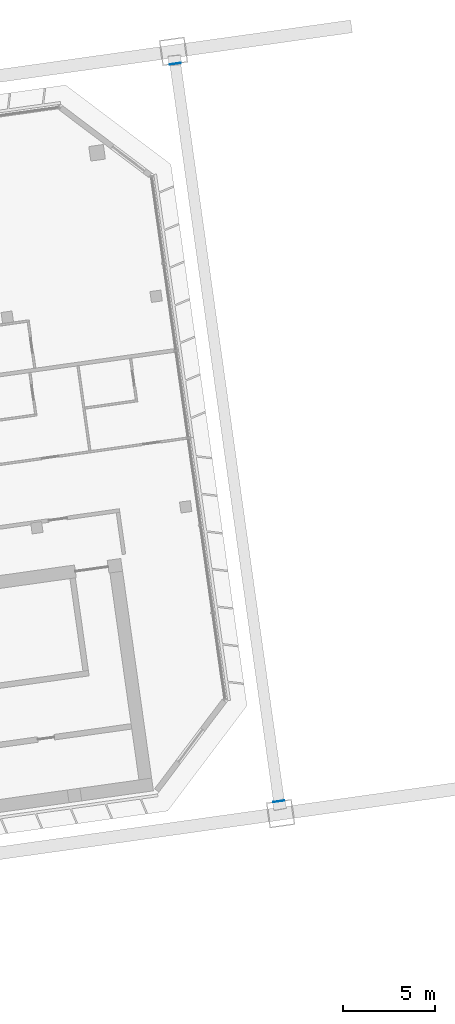
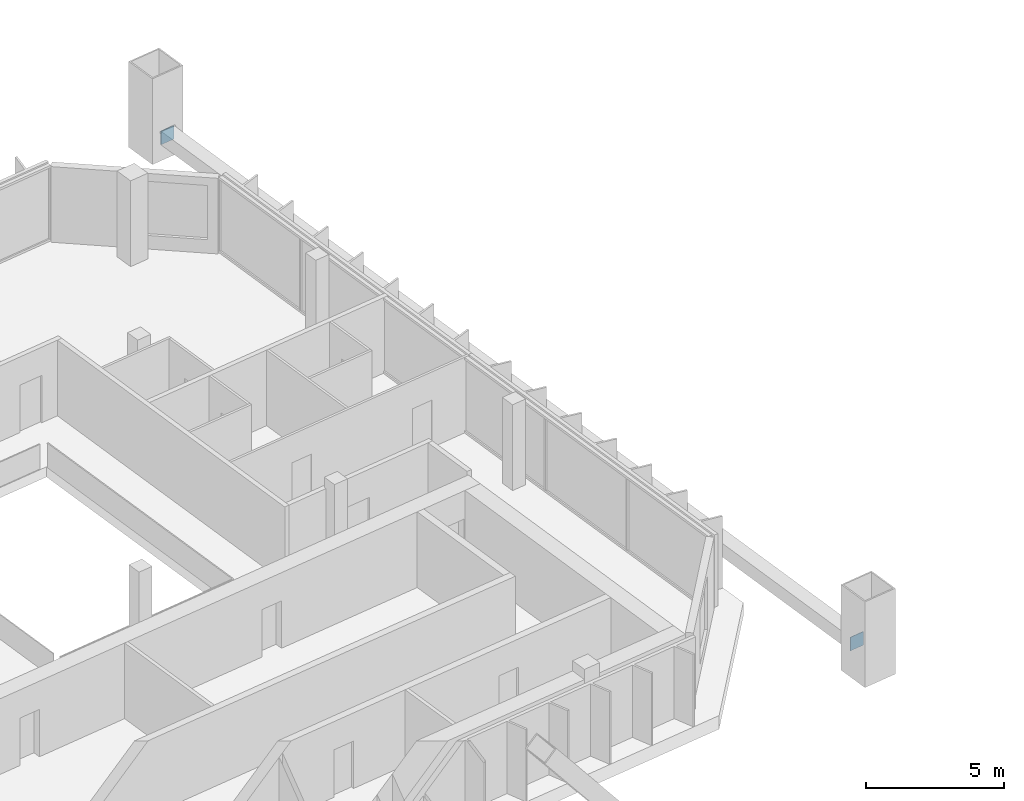
# One storey, part 36 of 38: 2 discrete accessories.
"""IFC4 building model written with IfcOpenShell, lengths in metres."""

from ifc_helpers import new_model, si_unit, direction, frame, origin, origin_2d, place, context, subcontext, project, spatial, rectangle, extrude, material, material_profile, profile_set, type_object, element, save


model = new_model("IFC4")

# Units and contexts
model_context = context("Model", 3, precision=1e-05, world=origin(), true_north=direction((0.0, 1.0)))
body_context = subcontext(model_context, "Body", "Model", "MODEL_VIEW")
ifc_project = project(units=[si_unit("LENGTHUNIT", "METRE"), si_unit("AREAUNIT", "SQUARE_METRE"), si_unit("VOLUMEUNIT", "CUBIC_METRE"), si_unit("PLANEANGLEUNIT", "RADIAN"), si_unit("MASSUNIT", "GRAM", prefix="KILO")], contexts=[model_context])

# Site, building, storey
site_placement = place(None, origin())
site = spatial("IfcSite", under=ifc_project, at=site_placement, CompositionType="ELEMENT")
building_placement = place(site_placement, origin())
building = spatial("IfcBuilding", under=site, at=building_placement, Name="Mirante Cascada Hotel Towers", CompositionType="ELEMENT")
storey_placement = place(building_placement, frame((0.0, 0.0, 184.0)))
storey = spatial("IfcBuildingStorey", under=building, at=storey_placement, Name="L43", CompositionType="ELEMENT", Elevation=184.0)

# Discrete accessories
ifc_material = material(Name="Steel ASTM A572 Gr 50", Category="steel")
ifc_material_profile = material_profile(ifc_material, rectangle(XDim=0.6, YDim=0.6, at=origin_2d()), Name="Connection plate 600x600x25 ASTM A572 Gr 50")
ifc_profile_set = profile_set([ifc_material_profile], Name="Steel ASTM A572 Gr 50")
discrete_accessory_type = type_object("IfcDiscreteAccessoryType", Name="Connection plate 600x600x25 ASTM A572 Gr 50", PredefinedType="BRACKET", material=ifc_profile_set)
for number, where, z_axis, x_axis, name in (
    (1, (88.2847, -14.3409, 1.0), (-0.136366, 0.9906585, 0.0), (-0.9906585, -0.136366, 0.0), "Connection plate NCH"),
    (2, (82.6288, 25.9036, 1.0), (-0.1402989, 0.9901092, 0.0), (-0.9901092, -0.1402989, 0.0), "Connection plate NCH"),
):
    element("IfcDiscreteAccessory", number, at=place(storey_placement, frame(where, z_axis=z_axis, x_axis=x_axis)), inside=storey, type_object=discrete_accessory_type, Name=name, PredefinedType="BRACKET", context=body_context, shape_type="SweptSolid", body=[
        extrude(rectangle(XDim=0.6, YDim=0.6, at=origin_2d()), origin(), (0.0, 0.0, 1.0), 0.0249),
    ])

save(model, "model.ifc")
